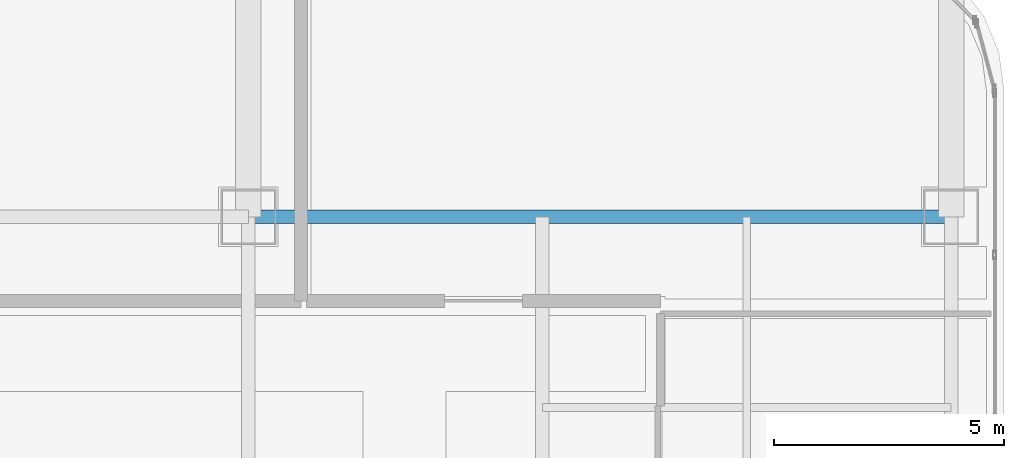
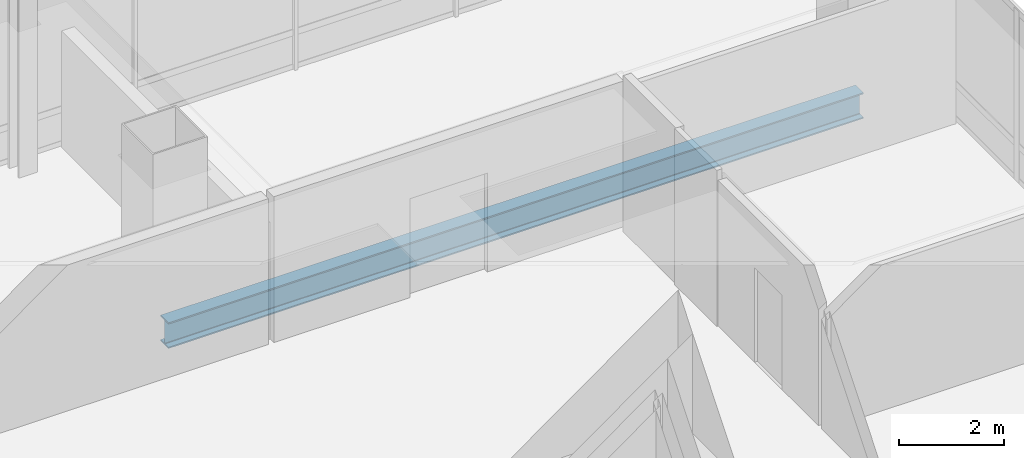
# One storey, part 28 of 42: 1 beam.
"""IFC4 building model written with IfcOpenShell, lengths in metres."""

from ifc_helpers import new_model, si_unit, direction, frame, origin, origin_2d, place, context, subcontext, project, spatial, i_section, extrude, material, material_profile, profile_set, type_object, element, save


model = new_model("IFC4")

# Units and contexts
model_context = context("Model", 3, precision=1e-05, world=origin(), true_north=direction((0.0, 1.0)))
body_context = subcontext(model_context, "Body", "Model", "MODEL_VIEW")
ifc_project = project(units=[si_unit("LENGTHUNIT", "METRE"), si_unit("AREAUNIT", "SQUARE_METRE"), si_unit("VOLUMEUNIT", "CUBIC_METRE"), si_unit("PLANEANGLEUNIT", "RADIAN"), si_unit("MASSUNIT", "GRAM", prefix="KILO")], contexts=[model_context])

# Site, building, storey
site_placement = place(None, origin())
site = spatial("IfcSite", under=ifc_project, at=site_placement, CompositionType="ELEMENT")
building_placement = place(site_placement, origin())
building = spatial("IfcBuilding", under=site, at=building_placement, Name="Punatoya Terracotta Tower", CompositionType="ELEMENT")
storey_placement = place(building_placement, frame((0.0, 0.0, 304.800048828125)))
storey = spatial("IfcBuildingStorey", under=building, at=storey_placement, Name="L72", CompositionType="ELEMENT", Elevation=304.800048828125)

# Beam
ifc_material = material(Name="Steel S355", Category="steel")
ifc_material_profile = material_profile(ifc_material, i_section(OverallWidth=0.300048828125, OverallDepth=0.60009765625, WebThickness=0.015380859375, FlangeThickness=0.030029296875, FilletRadius=0.01806640625, at=origin_2d()))
ifc_profile_set = profile_set([ifc_material_profile], Name="Steel S355")
beam_type = type_object("IfcBeamType", Name="BM-PRI-600", PredefinedType="BEAM", material=ifc_profile_set)
beam_placement = place(storey_placement, frame((3.800048828125, 17.5, -0.5), z_axis=(1.0, 0.0, 0.0), x_axis=(0.0, 1.0, 0.0)))
element("IfcBeam", 1, at=beam_placement, inside=storey, type_object=beam_type, Name="BM-L72-RG-N3", PredefinedType="BEAM", context=body_context, shape_type="SweptSolid", body=[
    extrude(i_section(OverallWidth=0.300048828125, OverallDepth=0.60009765625, WebThickness=0.015380859375, FlangeThickness=0.030029296875, FilletRadius=0.01806640625, at=origin_2d()), origin(), (0.0, 0.0, 1.0), 15.300048828125),
])

save(model, "model.ifc")
